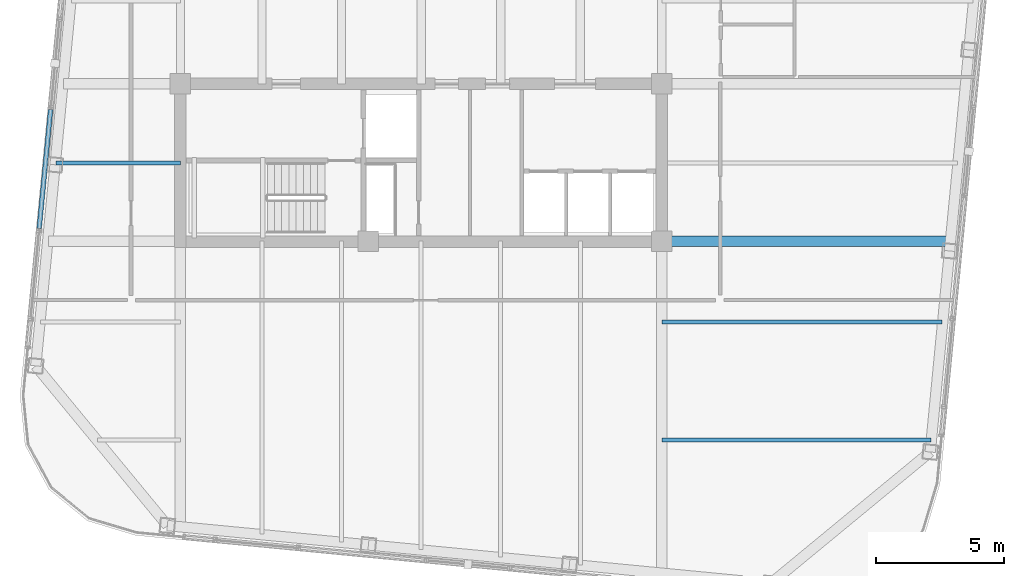
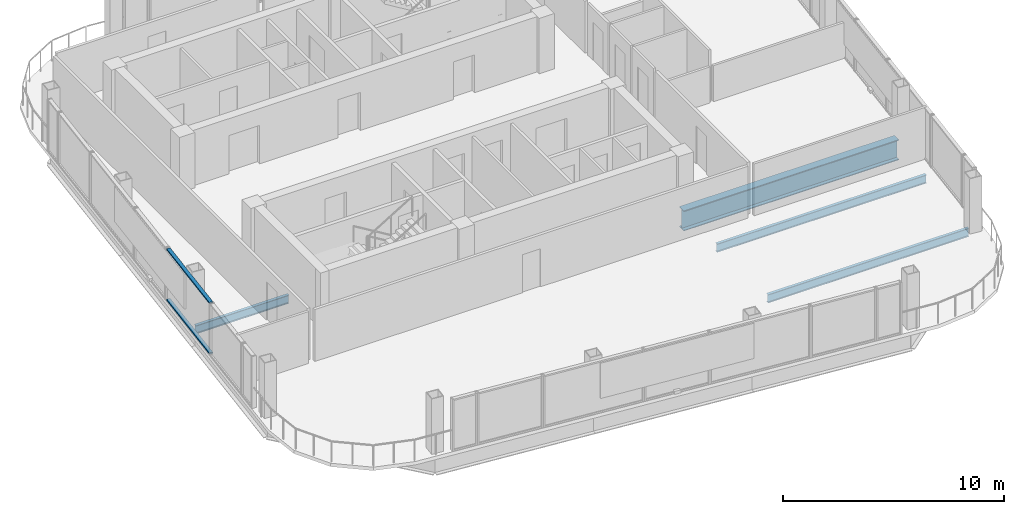
# One storey, part 6 of 22: 4 beams, 2 members, 1 element without a shape of its own.
"""IFC4 building model written with IfcOpenShell, lengths in metres."""

from ifc_helpers import new_model, si_unit, direction, frame, origin, origin_2d, place, context, subcontext, project, spatial, hollow_rectangle, i_section, extrude, material, layer, layer_set, material_profile, profile_set, type_object, element, aggregate, save


model = new_model("IFC4")

# Units and contexts
model_context = context("Model", 3, precision=1e-05, world=origin(), true_north=direction((0.0, 1.0)))
body_context = subcontext(model_context, "Body", "Model", "MODEL_VIEW")
ifc_project = project(units=[si_unit("LENGTHUNIT", "METRE"), si_unit("AREAUNIT", "SQUARE_METRE"), si_unit("VOLUMEUNIT", "CUBIC_METRE"), si_unit("PLANEANGLEUNIT", "RADIAN"), si_unit("MASSUNIT", "GRAM", prefix="KILO")], contexts=[model_context])

# Site, building, storey
site_placement = place(None, origin())
site = spatial("IfcSite", under=ifc_project, at=site_placement, CompositionType="ELEMENT")
building_placement = place(site_placement, origin())
building = spatial("IfcBuilding", under=site, at=building_placement, Name="Qhalaya Broadcast Tower", CompositionType="ELEMENT")
storey_placement = place(building_placement, frame((0.0, 0.0, 245.89990234375)))
storey = spatial("IfcBuildingStorey", under=building, at=storey_placement, Name="L72", CompositionType="ELEMENT", Elevation=245.89990234375)

# Beams
ifc_material_1 = material(Name="Structural Steel ASTM A992 Grade 50", Category="steel")
ifc_material_profile_1 = material_profile(ifc_material_1, i_section(OverallWidth=0.154052734375, OverallDepth=0.458984375, WebThickness=0.009033203125, FlangeThickness=0.015380859375, at=origin_2d()), Name="W18X46")
ifc_profile_set_1 = profile_set([ifc_material_profile_1], Name="Structural Steel ASTM A992 Grade 50")
beam_type_1 = type_object("IfcBeamType", Name="Composite Floor Joist J04", PredefinedType="JOIST", material=ifc_profile_set_1)
beam_1_placement = place(storey_placement, frame((9.375, -16.5, -0.41943359375), z_axis=(1.0, 0.0, 0.0), x_axis=(0.0, 1.0, 0.0)))
element("IfcBeam", 1, at=beam_1_placement, inside=storey, type_object=beam_type_1, Name="L72 J04 L72-JWE1E-1", PredefinedType="JOIST", context=body_context, shape_type="SweptSolid", body=[
    extrude(i_section(OverallWidth=0.154052734375, OverallDepth=0.458984375, WebThickness=0.009033203125, FlangeThickness=0.015380859375, at=origin_2d()), origin(), (0.0, 0.0, 1.0), 10.47802734375),
])
beam_2_placement = place(storey_placement, frame((9.375, -11.89990234375, -0.41943359375), z_axis=(1.0, 0.0, 0.0), x_axis=(0.0, 1.0, 0.0)))
element("IfcBeam", 2, at=beam_2_placement, inside=storey, type_object=beam_type_1, Name="L72 J04 L72-JWE2E-1", PredefinedType="JOIST", context=body_context, shape_type="SweptSolid", body=[
    extrude(i_section(OverallWidth=0.154052734375, OverallDepth=0.458984375, WebThickness=0.009033203125, FlangeThickness=0.015380859375, at=origin_2d()), origin(), (0.0, 0.0, 1.0), 10.9208984375),
])
beam_3_placement = place(storey_placement, frame((-14.228759765625, -5.699951171875, -0.41943359375), z_axis=(1.0, 0.0, 0.0), x_axis=(0.0, 1.0, 0.0)))
element("IfcBeam", 3, at=beam_3_placement, inside=storey, type_object=beam_type_1, Name="L72 J04 L72-JWE3W-1", PredefinedType="JOIST", context=body_context, shape_type="SweptSolid", body=[
    extrude(i_section(OverallWidth=0.154052734375, OverallDepth=0.458984375, WebThickness=0.009033203125, FlangeThickness=0.015380859375, at=origin_2d()), origin(), (0.0, 0.0, 1.0), 4.853759765625),
])
ifc_material_profile_2 = material_profile(ifc_material_1, i_section(OverallWidth=0.404052734375, OverallDepth=1.117919921875, WebThickness=0.026123046875, FlangeThickness=0.044921875, at=origin_2d()), Name="W44X335")
ifc_profile_set_2 = profile_set([ifc_material_profile_2], Name="Structural Steel ASTM A992 Grade 50")
beam_type_2 = type_object("IfcBeamType", Name="Podium Long-Span Primary Girder PG1", PredefinedType="USERDEFINED", material=ifc_profile_set_2)
beam_4_placement = place(storey_placement, frame((9.375, -8.75, -0.7490234375), z_axis=(1.0, 0.0, 0.0), x_axis=(0.0, 1.0, 0.0)))
element("IfcBeam", 4, at=beam_4_placement, inside=storey, type_object=beam_type_2, Name="L72 PG1 L72-PGYE1-1", ObjectType="GIRDER", PredefinedType="USERDEFINED", context=body_context, shape_type="SweptSolid", body=[
    extrude(i_section(OverallWidth=0.404052734375, OverallDepth=1.117919921875, WebThickness=0.026123046875, FlangeThickness=0.044921875, at=origin_2d()), origin(), (0.0, 0.0, 1.0), 11.22412109375),
])

# Curtain wall, members
ifc_material_2 = material(Name="Fired Architectural Terracotta", Category="masonry")
ifc_layer = layer(ifc_material_2, 0.219970703125, Name="Fired Architectural Terracotta")
ifc_layer_set = layer_set([ifc_layer], Name="Fired Architectural Terracotta")
curtain_wall_type = type_object("IfcCurtainWallType", Name="Block-Cap Unitised Terracotta Spandrel Wall CW-07", PredefinedType="NOTDEFINED", material=ifc_layer_set)
curtain_wall_placement = place(storey_placement, origin())
curtain_wall = element("IfcCurtainWall", 5, at=curtain_wall_placement, inside=storey, type_object=curtain_wall_type, Name="L72 Unitised Curtain Wall L72-CW-W5", PredefinedType="NOTDEFINED")
ifc_material_3 = material(Name="Anodised Aluminium 6063-T6", Category="aluminium")
ifc_material_profile_3 = material_profile(ifc_material_3, hollow_rectangle(XDim=0.074951171875, YDim=0.179931640625, WallThickness=0.00390625, at=origin_2d()), Name="ALU-TRN 75x180x4")
ifc_profile_set_3 = profile_set([ifc_material_profile_3], Name="Anodised Aluminium 6063-T6")
member_type = type_object("IfcMemberType", Name="Unitised Curtain-Wall Transom T01", PredefinedType="USERDEFINED", material=ifc_profile_set_3)
member_1_placement = place(storey_placement, frame((-14.4306640625, -3.6220703125, 0.03759765625), z_axis=(-0.095865210868, -0.995394324549, 0.0), x_axis=(0.0, 0.0, 1.0)))
member_1 = element("IfcMember", 6, at=member_1_placement, type_object=member_type, Name="CW-07 transom 1.1", ObjectType="TRANSOM", PredefinedType="USERDEFINED", context=body_context, shape_type="SweptSolid", body=[
    extrude(hollow_rectangle(XDim=0.074951171875, YDim=0.179931640625, WallThickness=0.00390625, at=origin_2d()), origin(), (0.0, 0.0, 1.0), 4.657958984375),
])
member_2_placement = place(storey_placement, frame((-14.4306640625, -3.6220703125, 2.822509765625), z_axis=(-0.095865210868, -0.995394324549, 0.0), x_axis=(0.0, 0.0, 1.0)))
member_2 = element("IfcMember", 7, at=member_2_placement, type_object=member_type, Name="CW-07 transom 1.2", ObjectType="TRANSOM", PredefinedType="USERDEFINED", context=body_context, shape_type="SweptSolid", body=[
    extrude(hollow_rectangle(XDim=0.074951171875, YDim=0.179931640625, WallThickness=0.00390625, at=origin_2d()), origin(), (0.0, 0.0, 1.0), 4.657958984375),
])
aggregate(curtain_wall, [member_1, member_2])

save(model, "model.ifc")
